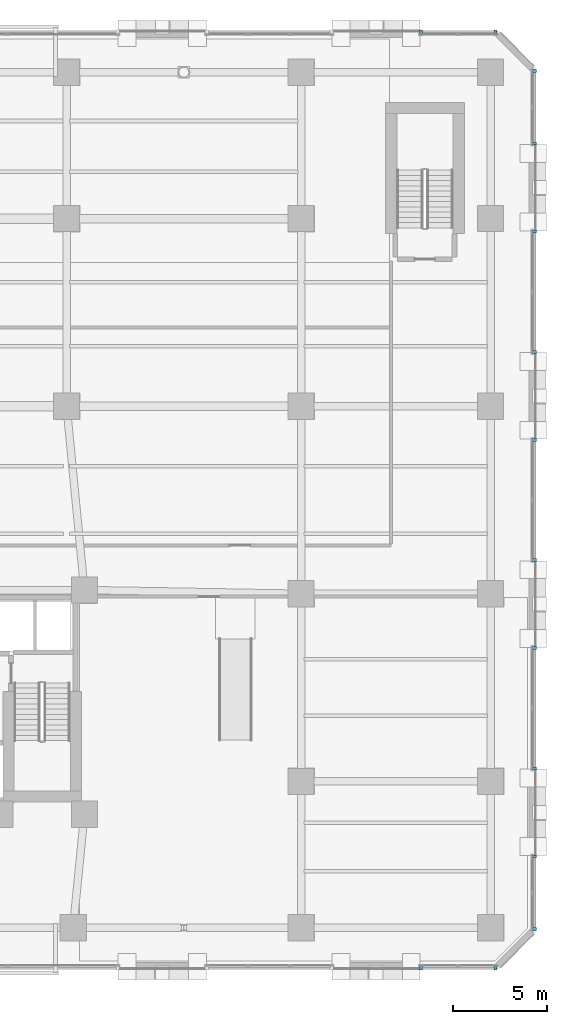
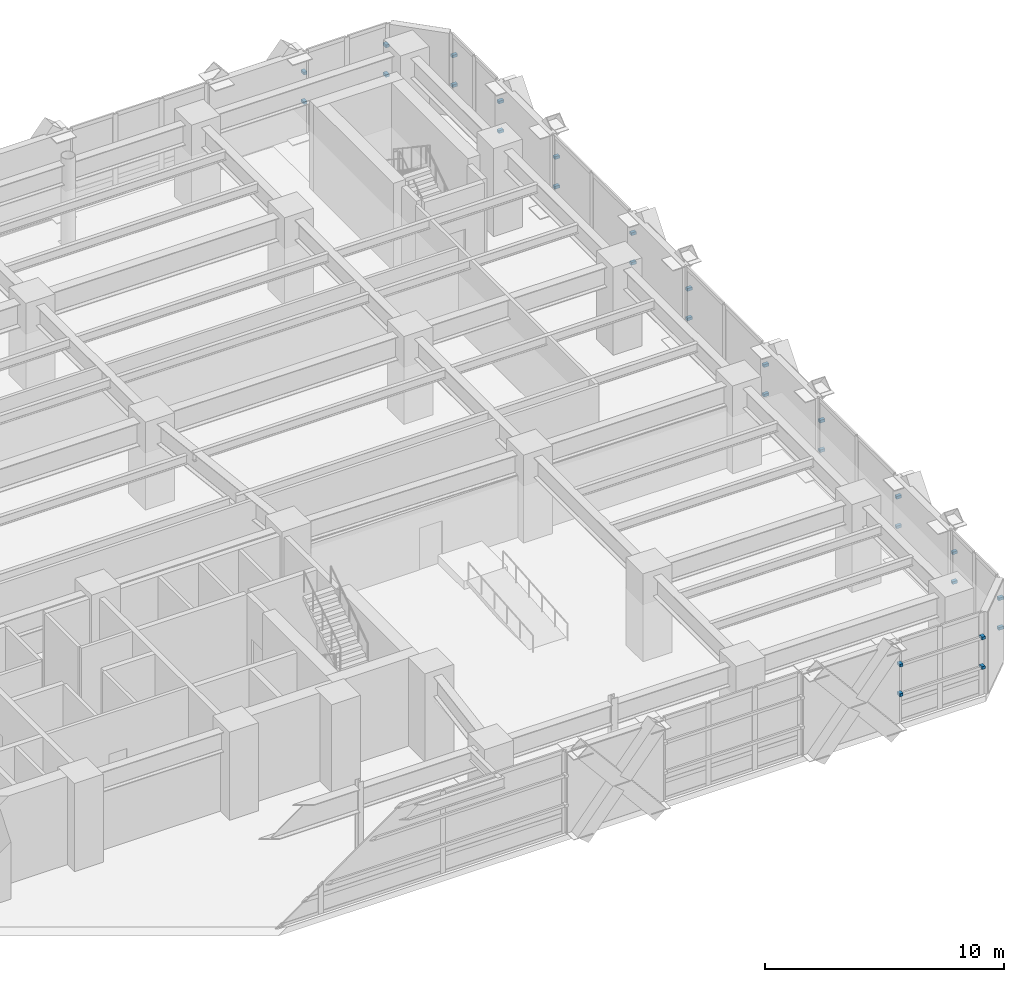
# One storey, part 23 of 30: 28 discrete accessories.
"""IFC4 building model written with IfcOpenShell, lengths in metres."""

from ifc_helpers import new_model, si_unit, direction, frame, origin, origin_2d, place, context, subcontext, project, spatial, rectangle, extrude, material, type_object, element, save


model = new_model("IFC4")

# Units and contexts
model_context = context("Model", 3, precision=1e-05, world=origin(), true_north=direction((0.0, 1.0)))
body_context = subcontext(model_context, "Body", "Model", "MODEL_VIEW")
ifc_project = project(units=[si_unit("LENGTHUNIT", "METRE"), si_unit("AREAUNIT", "SQUARE_METRE"), si_unit("VOLUMEUNIT", "CUBIC_METRE"), si_unit("PLANEANGLEUNIT", "RADIAN"), si_unit("MASSUNIT", "GRAM", prefix="KILO")], contexts=[model_context])

# Site, building, storey
site_placement = place(None, origin())
site = spatial("IfcSite", under=ifc_project, at=site_placement, CompositionType="ELEMENT")
building_placement = place(site_placement, origin())
building = spatial("IfcBuilding", under=site, at=building_placement, Name="Quenlor Broadcast Tower", CompositionType="ELEMENT")
storey_placement = place(building_placement, frame((0.0, 0.0, 9.5)))
storey = spatial("IfcBuildingStorey", under=building, at=storey_placement, Name="L02", CompositionType="ELEMENT", Elevation=9.5)

# Discrete accessories
ifc_material = material(Name="Aluminium 6063-T6", Category="aluminium")
discrete_accessory_type = type_object("IfcDiscreteAccessoryType", Name="Stainless Mullion Baguette Support Bracket", PredefinedType="BRACKET", material=ifc_material)
for number, where, z_axis, x_axis, name in (
    (1, (34.85888671875, -24.93994140625, 1.44189453125), (0.0, 0.0, 1.0), (-1.0, 0.0, 0.0), "L02 Baguette Mullion Bracket 1.1"),
    (2, (30.890380859375, -24.93994140625, 1.44189453125), (0.0, 0.0, 1.0), (-1.0, 0.0, 0.0), "L02 Baguette Mullion Bracket 1.2"),
    (3, (34.85888671875, -24.93994140625, 2.9541015625), (0.0, 0.0, 1.0), (-1.0, 0.0, 0.0), "L02 Baguette Mullion Bracket 2.1"),
    (4, (30.890380859375, -24.93994140625, 2.9541015625), (0.0, 0.0, 1.0), (-1.0, 0.0, 0.0), "L02 Baguette Mullion Bracket 2.2"),
    (5, (30.890380859375, 24.93994140625, 1.44189453125), (0.0, 0.0, 1.0), (1.0, 0.0, 0.0), "L02 Baguette Mullion Bracket 1.1"),
    (6, (34.85888671875, 24.93994140625, 1.44189453125), (0.0, 0.0, 1.0), (1.0, 0.0, 0.0), "L02 Baguette Mullion Bracket 1.2"),
    (7, (30.890380859375, 24.93994140625, 2.9541015625), (0.0, 0.0, 1.0), (1.0, 0.0, 0.0), "L02 Baguette Mullion Bracket 2.1"),
    (8, (34.85888671875, 24.93994140625, 2.9541015625), (0.0, 0.0, 1.0), (1.0, 0.0, 0.0), "L02 Baguette Mullion Bracket 2.2"),
    (9, (36.93994140625, 22.85888671875, 1.44189453125), (0.0, 0.0, 1.0), (0.0, -1.0, 0.0), "L02 Baguette Mullion Bracket 1.1"),
    (10, (36.93994140625, 18.99365234375, 1.44189453125), (0.0, 0.0, 1.0), (0.0, -1.0, 0.0), "L02 Baguette Mullion Bracket 1.2"),
    (11, (36.93994140625, 22.85888671875, 2.9541015625), (0.0, 0.0, 1.0), (0.0, -1.0, 0.0), "L02 Baguette Mullion Bracket 2.1"),
    (12, (36.93994140625, 18.99365234375, 2.9541015625), (0.0, 0.0, 1.0), (0.0, -1.0, 0.0), "L02 Baguette Mullion Bracket 2.2"),
    (13, (36.93994140625, 14.306396484375, 1.44189453125), (0.0, 0.0, 1.0), (0.0, -1.0, 0.0), "L02 Baguette Mullion Bracket 1.1"),
    (14, (36.93994140625, 7.893798828125, 1.44189453125), (0.0, 0.0, 1.0), (0.0, -1.0, 0.0), "L02 Baguette Mullion Bracket 1.2"),
    (15, (36.93994140625, 14.306396484375, 2.9541015625), (0.0, 0.0, 1.0), (0.0, -1.0, 0.0), "L02 Baguette Mullion Bracket 2.1"),
    (16, (36.93994140625, 7.893798828125, 2.9541015625), (0.0, 0.0, 1.0), (0.0, -1.0, 0.0), "L02 Baguette Mullion Bracket 2.2"),
    (17, (36.93994140625, 3.206298828125, 1.44189453125), (0.0, 0.0, 1.0), (0.0, -1.0, 0.0), "L02 Baguette Mullion Bracket 1.1"),
    (18, (36.93994140625, -3.206298828125, 1.44189453125), (0.0, 0.0, 1.0), (0.0, -1.0, 0.0), "L02 Baguette Mullion Bracket 1.2"),
    (19, (36.93994140625, 3.206298828125, 2.9541015625), (0.0, 0.0, 1.0), (0.0, -1.0, 0.0), "L02 Baguette Mullion Bracket 2.1"),
    (20, (36.93994140625, -3.206298828125, 2.9541015625), (0.0, 0.0, 1.0), (0.0, -1.0, 0.0), "L02 Baguette Mullion Bracket 2.2"),
    (21, (36.93994140625, -7.893798828125, 1.44189453125), (0.0, 0.0, 1.0), (0.0, -1.0, 0.0), "L02 Baguette Mullion Bracket 1.1"),
    (22, (36.93994140625, -14.306396484375, 1.44189453125), (0.0, 0.0, 1.0), (0.0, -1.0, 0.0), "L02 Baguette Mullion Bracket 1.2"),
    (23, (36.93994140625, -7.893798828125, 2.9541015625), (0.0, 0.0, 1.0), (0.0, -1.0, 0.0), "L02 Baguette Mullion Bracket 2.1"),
    (24, (36.93994140625, -14.306396484375, 2.9541015625), (0.0, 0.0, 1.0), (0.0, -1.0, 0.0), "L02 Baguette Mullion Bracket 2.2"),
    (25, (36.93994140625, -18.99365234375, 1.44189453125), (0.0, 0.0, 1.0), (0.0, -1.0, 0.0), "L02 Baguette Mullion Bracket 1.1"),
    (26, (36.93994140625, -22.85888671875, 1.44189453125), (0.0, 0.0, 1.0), (0.0, -1.0, 0.0), "L02 Baguette Mullion Bracket 1.2"),
    (27, (36.93994140625, -18.99365234375, 2.9541015625), (0.0, 0.0, 1.0), (0.0, -1.0, 0.0), "L02 Baguette Mullion Bracket 2.1"),
    (28, (36.93994140625, -22.85888671875, 2.9541015625), (0.0, 0.0, 1.0), (0.0, -1.0, 0.0), "L02 Baguette Mullion Bracket 2.2"),
):
    element("IfcDiscreteAccessory", number, at=place(storey_placement, frame(where, z_axis=z_axis, x_axis=x_axis)), inside=storey, type_object=discrete_accessory_type, Name=name, PredefinedType="BRACKET", context=body_context, shape_type="SweptSolid", body=[
        extrude(rectangle(XDim=0.159912109375, YDim=0.239990234375, at=origin_2d()), origin(), (0.0, 0.0, 1.0), 0.139892578125),
    ])

save(model, "model.ifc")
